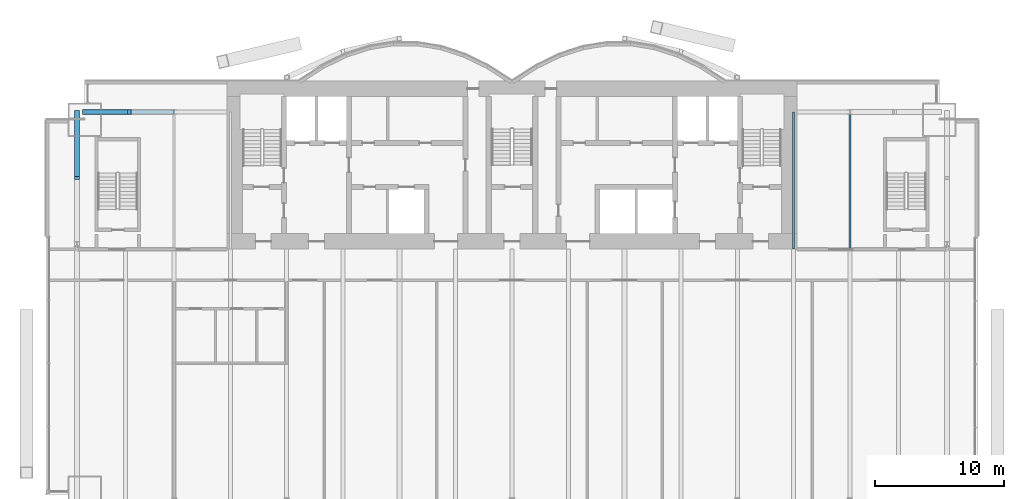
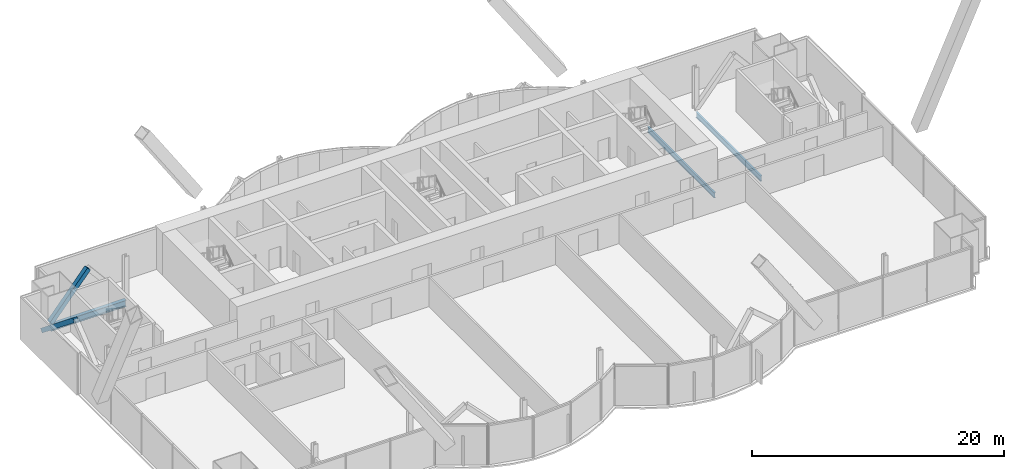
# One storey, part 11 of 24: 3 beams, 2 members.
"""IFC4 building model written with IfcOpenShell, lengths in metres."""

from ifc_helpers import new_model, si_unit, direction, frame, origin, origin_2d, place, context, subcontext, project, spatial, hollow_rectangle, i_section, extrude, material, material_profile, profile_set, type_object, element, save


model = new_model("IFC4")

# Units and contexts
model_context = context("Model", 3, precision=1e-05, world=origin(), true_north=direction((0.0, 1.0)))
body_context = subcontext(model_context, "Body", "Model", "MODEL_VIEW")
ifc_project = project(units=[si_unit("LENGTHUNIT", "METRE"), si_unit("AREAUNIT", "SQUARE_METRE"), si_unit("VOLUMEUNIT", "CUBIC_METRE"), si_unit("PLANEANGLEUNIT", "RADIAN"), si_unit("MASSUNIT", "GRAM", prefix="KILO")], contexts=[model_context])

# Site, building, storey
site_placement = place(None, origin())
site = spatial("IfcSite", under=ifc_project, at=site_placement, CompositionType="ELEMENT")
building_placement = place(site_placement, origin())
building = spatial("IfcBuilding", under=site, at=building_placement, Name="Bicima Exchange Tower", CompositionType="ELEMENT")
storey_placement = place(building_placement, frame((0.0, 0.0, 160.89990234375)))
storey = spatial("IfcBuildingStorey", under=building, at=storey_placement, Name="L35", CompositionType="ELEMENT", Elevation=160.89990234375)

# Beams
ifc_material_1 = material(Name="Steel ASTM A992 Gr 50", Category="steel")
ifc_material_profile_1 = material_profile(ifc_material_1, i_section(OverallWidth=0.165771484375, OverallDepth=0.5283203125, WebThickness=0.009765625, FlangeThickness=0.013671875, at=origin_2d()))
ifc_profile_set_1 = profile_set([ifc_material_profile_1], Name="Steel ASTM A992 Gr 50")
beam_type_1 = type_object("IfcBeamType", Name="Floor beam W21x50", PredefinedType="JOIST", material=ifc_profile_set_1)
beam_1_placement = place(storey_placement, frame((21.75, -2.39990234375, -0.4140625), z_axis=(0.0, -1.0, 0.0), x_axis=(1.0, 0.0, 0.0)))
element("IfcBeam", 1, at=beam_1_placement, inside=storey, type_object=beam_type_1, Name="Floor beam", PredefinedType="JOIST", context=body_context, shape_type="SweptSolid", body=[
    extrude(i_section(OverallWidth=0.165771484375, OverallDepth=0.5283203125, WebThickness=0.009765625, FlangeThickness=0.013671875, at=origin_2d()), origin(), (0.0, 0.0, 1.0), 10.60009765625),
])
beam_2_placement = place(storey_placement, frame((26.10009765625, -2.5625, -0.4140625), z_axis=(0.0, -1.0, 0.0), x_axis=(1.0, 0.0, 0.0)))
element("IfcBeam", 2, at=beam_2_placement, inside=storey, type_object=beam_type_1, Name="Floor beam", PredefinedType="JOIST", context=body_context, shape_type="SweptSolid", body=[
    extrude(i_section(OverallWidth=0.165771484375, OverallDepth=0.5283203125, WebThickness=0.009765625, FlangeThickness=0.013671875, at=origin_2d()), origin(), (0.0, 0.0, 1.0), 10.28515625),
])

# Members
ifc_material_2 = material(Name="Steel ASTM A572 Gr 50", Category="steel")
ifc_material_profile_2 = material_profile(ifc_material_2, hollow_rectangle(XDim=0.406494140625, YDim=0.406494140625, WallThickness=0.017822265625, at=origin_2d()))
ifc_profile_set_2 = profile_set([ifc_material_profile_2], Name="Steel ASTM A572 Gr 50")
member_type = type_object("IfcMemberType", Name="Mega brace HSS16x16x3/4", PredefinedType="BRACE", material=ifc_profile_set_2)
member_1_placement = place(storey_placement, frame((-33.0, -2.39990234375, 0.0), z_axis=(0.643834042494, 0.0, 0.765165162384), x_axis=(0.0, 1.0, 0.0)))
element("IfcMember", 3, at=member_1_placement, inside=storey, type_object=member_type, Name="Mega brace rear", PredefinedType="BRACE", context=body_context, shape_type="SweptSolid", body=[
    extrude(hollow_rectangle(XDim=0.406494140625, YDim=0.406494140625, WallThickness=0.017822265625, at=origin_2d()), origin(), (0.0, 0.0, 1.0), 5.3583984375),
])
member_2_placement = place(storey_placement, frame((-33.60009765625, -2.39990234375, -0.49658203125), z_axis=(0.0, -0.779374241895, 0.626558689247), x_axis=(1.0, 0.0, 0.0)))
element("IfcMember", 4, at=member_2_placement, inside=storey, type_object=member_type, Name="Mega brace west end", PredefinedType="BRACE", context=body_context, shape_type="SweptSolid", body=[
    extrude(hollow_rectangle(XDim=0.406494140625, YDim=0.406494140625, WallThickness=0.017822265625, at=origin_2d()), origin(), (0.0, 0.0, 1.0), 6.5439453125),
])

# Beam
ifc_material_profile_3 = material_profile(ifc_material_1, i_section(OverallWidth=0.3251953125, OverallDepth=0.612060546875, WebThickness=0.0126953125, FlangeThickness=0.01904296875, at=origin_2d()))
ifc_profile_set_3 = profile_set([ifc_material_profile_3], Name="Steel ASTM A992 Gr 50")
beam_type_2 = type_object("IfcBeamType", Name="Rear girder W24x104", PredefinedType="BEAM", material=ifc_profile_set_3)
beam_3_placement = place(storey_placement, frame((-26.10009765625, -2.39990234375, -0.4560546875), z_axis=(-1.0, 0.0, 0.0), x_axis=(0.0, -1.0, 0.0)))
element("IfcBeam", 5, at=beam_3_placement, inside=storey, type_object=beam_type_2, Name="Rear girder", PredefinedType="BEAM", context=body_context, shape_type="SweptSolid", body=[
    extrude(i_section(OverallWidth=0.3251953125, OverallDepth=0.612060546875, WebThickness=0.0126953125, FlangeThickness=0.01904296875, at=origin_2d()), origin(), (0.0, 0.0, 1.0), 6.89990234375),
])

save(model, "model.ifc")
